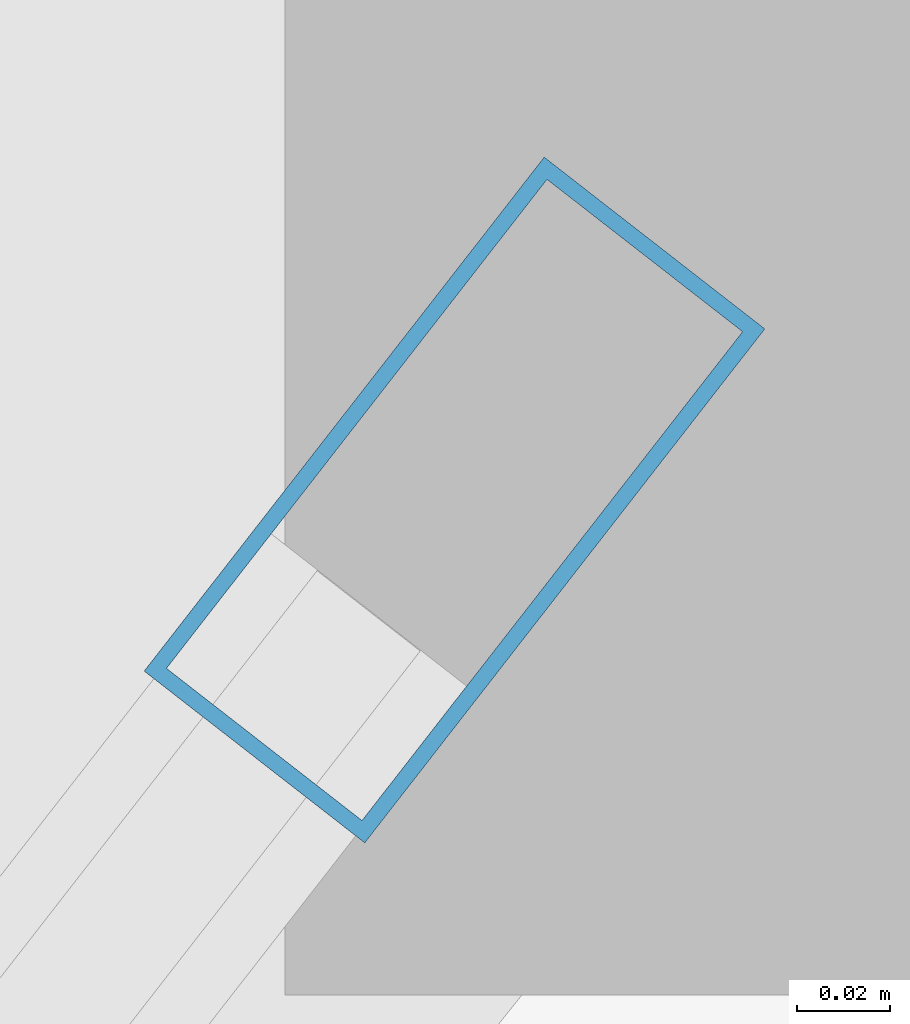
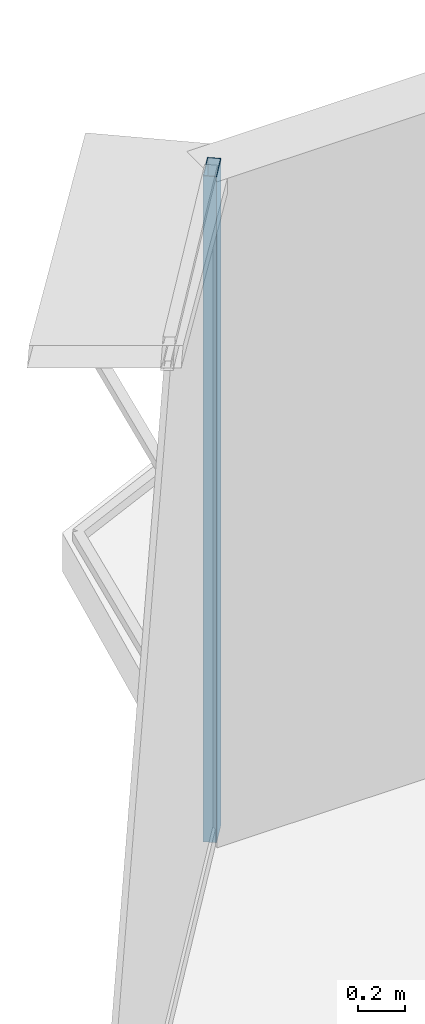
# One storey, part 24 of 40: 1 member, 1 element without a shape of its own.
"""IFC4 building model written with IfcOpenShell, lengths in metres."""

from ifc_helpers import new_model, si_unit, direction, frame, origin, origin_2d, place, context, subcontext, project, spatial, hollow_rectangle, extrude, source, transform, mapped, material, layer, layer_set, material_profile, profile_set, type_object, element, aggregate, save


model = new_model("IFC4")

# Units and contexts
model_context = context("Model", 3, precision=1e-05, world=origin(), true_north=direction((0.0, 1.0)))
body_context = subcontext(model_context, "Body", "Model", "MODEL_VIEW")
ifc_project = project(units=[si_unit("LENGTHUNIT", "METRE"), si_unit("AREAUNIT", "SQUARE_METRE"), si_unit("VOLUMEUNIT", "CUBIC_METRE"), si_unit("PLANEANGLEUNIT", "RADIAN"), si_unit("MASSUNIT", "GRAM", prefix="KILO"), si_unit("THERMODYNAMICTEMPERATUREUNIT", "KELVIN"), si_unit("POWERUNIT", "WATT")], contexts=[model_context])

# Site, building, storey
site_placement = place(None, origin())
site = spatial("IfcSite", under=ifc_project, at=site_placement, CompositionType="ELEMENT")
building_placement = place(site_placement, origin())
building = spatial("IfcBuilding", under=site, at=building_placement, Name="Yunzhuo Pagoda Commons", CompositionType="ELEMENT")
storey_placement = place(building_placement, frame((0.0, 0.0, 288.75)))
storey = spatial("IfcBuildingStorey", under=building, at=storey_placement, Name="L72", CompositionType="ELEMENT", Elevation=288.75)

# Curtain wall, member
ifc_material = material(Name="Anodized aluminium 6063-T6", Category="aluminium")
ifc_layer = layer(ifc_material, 0.139892578125)
ifc_layer_set = layer_set([ifc_layer], Name="Anodized aluminium 6063-T6")
curtain_wall_type = type_object("IfcCurtainWallType", Name="CW-HI High-Zone Ribbon Curtain Wall", PredefinedType="NOTDEFINED", material=ifc_layer_set)
curtain_wall_placement = place(storey_placement, origin())
curtain_wall = element("IfcCurtainWall", 1, at=curtain_wall_placement, inside=storey, type_object=curtain_wall_type, Name="L72 curtain wall CW-L72-F3B1", PredefinedType="NOTDEFINED")
ifc_material_profile = material_profile(ifc_material, hollow_rectangle(XDim=0.06005859375, YDim=0.139892578125, WallThickness=0.00341796875, at=origin_2d()), Name="Anodized aluminium 6063-T6")
ifc_profile_set = profile_set([ifc_material_profile], Name="Anodized aluminium 6063-T6")
member_type = type_object("IfcMemberType", Name="CW-HI-M Mullion RHS 140x60x3.5", PredefinedType="MULLION", material=ifc_profile_set)
shared_shape = source(origin(), body_context, "Body", "SweptSolid", [
    extrude(hollow_rectangle(XDim=0.06005859375, YDim=0.139892578125, WallThickness=0.00341796875, at=origin_2d()), origin(), (0.0, 0.0, 1.0), 3.469970703125),
])
member_placement = place(storey_placement, frame((44.50146484375, 75.7666015625, 0.0), z_axis=(0.0, 0.0, 1.0), x_axis=(0.789102923127, -0.614261000482, 0.0)))
member = element("IfcMember", 2, at=member_placement, type_object=member_type, Name="CW mullion 1", PredefinedType="MULLION", context=body_context, shape_type="MappedRepresentation", body=[
    mapped(shared_shape, transform((0.0, 0.0, 0.0), scale=1.0)),
])
aggregate(curtain_wall, [member])

save(model, "model.ifc")
